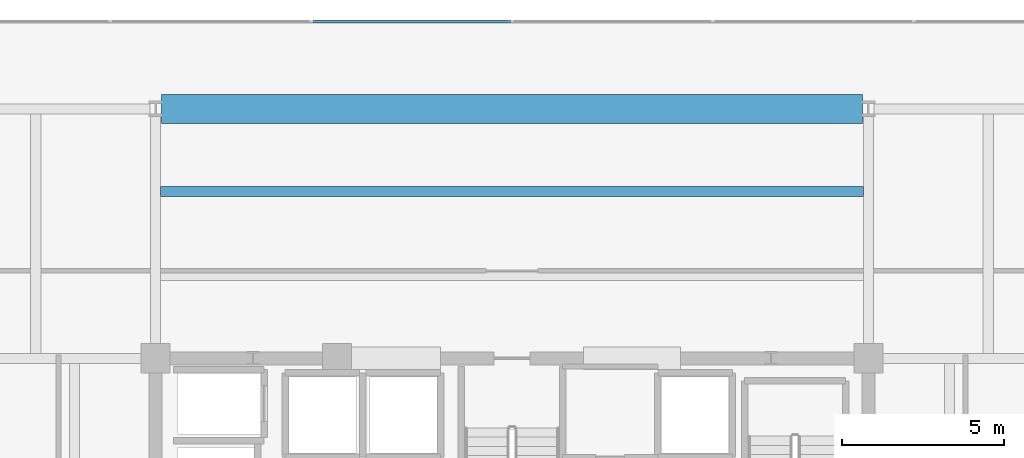
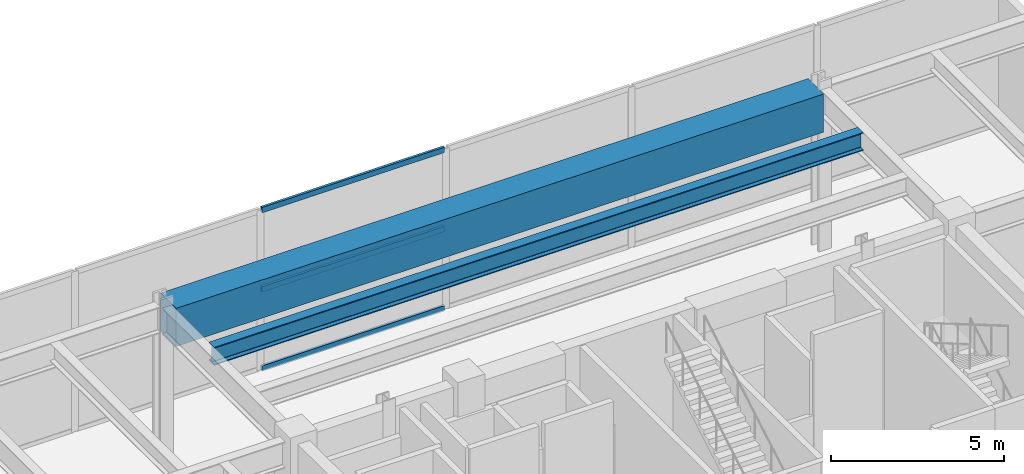
# One storey, part 14 of 21: 3 members, 2 beams, 1 element without a shape of its own.
"""IFC4 building model written with IfcOpenShell, lengths in metres."""

from ifc_helpers import new_model, si_unit, direction, frame, origin, origin_2d, place, context, subcontext, project, spatial, rectangle, hollow_rectangle, i_section, extrude, material, material_profile, profile_set, type_object, element, aggregate, save


model = new_model("IFC4")

# Units and contexts
model_context = context("Model", 3, precision=1e-05, world=origin(), true_north=direction((0.0, 1.0)))
body_context = subcontext(model_context, "Body", "Model", "MODEL_VIEW")
ifc_project = project(units=[si_unit("LENGTHUNIT", "METRE"), si_unit("AREAUNIT", "SQUARE_METRE"), si_unit("VOLUMEUNIT", "CUBIC_METRE"), si_unit("PLANEANGLEUNIT", "RADIAN"), si_unit("MASSUNIT", "GRAM", prefix="KILO")], contexts=[model_context])

# Site, building, storey
site_placement = place(None, origin())
site = spatial("IfcSite", under=ifc_project, at=site_placement, CompositionType="ELEMENT")
building_placement = place(site_placement, origin())
building = spatial("IfcBuilding", under=site, at=building_placement, Name="Kovane Verandah Tower", CompositionType="ELEMENT")
storey_placement = place(building_placement, frame((0.0, 0.0, 342.800048828125)))
storey = spatial("IfcBuildingStorey", under=building, at=storey_placement, Name="L80", CompositionType="ELEMENT", Elevation=342.800048828125)

# Beams
ifc_material_1 = material(Name="Concrete C80/95", Category="concrete")
ifc_material_profile_1 = material_profile(ifc_material_1, rectangle(XDim=0.89990234375, YDim=1.35009765625, at=origin_2d()), Name="RCB900x1350")
ifc_profile_set_1 = profile_set([ifc_material_profile_1], Name="Concrete C80/95")
beam_type_1 = type_object("IfcBeamType", Name="BM-TR-900x1350", PredefinedType="BEAM", material=ifc_profile_set_1)
beam_1_placement = place(storey_placement, frame((29.179931640625, 44.199951171875, 5.02490234375), z_axis=(1.0, 0.0, 0.0), x_axis=(0.0, 1.0, 0.0)))
element("IfcBeam", 1, at=beam_1_placement, inside=storey, type_object=beam_type_1, Name="L80 Primary Tower Girder G-RN2", PredefinedType="BEAM", context=body_context, shape_type="SweptSolid", body=[
    extrude(rectangle(XDim=0.89990234375, YDim=1.35009765625, at=origin_2d()), origin(), (0.0, 0.0, 1.0), 21.64013671875),
])
ifc_material_2 = material(Name="Steel S460", Category="steel")
ifc_material_profile_2 = material_profile(ifc_material_2, i_section(OverallWidth=0.311279296875, OverallDepth=0.6357421875, WebThickness=0.018310546875, FlangeThickness=0.031494140625, FilletRadius=0.0166015625, at=origin_2d()), Name="UB610x305x238")
ifc_profile_set_2 = profile_set([ifc_material_profile_2], Name="Steel S460")
beam_type_2 = type_object("IfcBeamType", Name="BM-UB610x238", PredefinedType="BEAM", material=ifc_profile_set_2)
beam_2_placement = place(storey_placement, frame((29.15185546875, 41.64990234375, 5.382080078125), z_axis=(1.0, 0.0, 0.0), x_axis=(0.0, 1.0, 0.0)))
element("IfcBeam", 2, at=beam_2_placement, inside=storey, type_object=beam_type_2, Name="L80 Secondary Composite Joist J-N2", PredefinedType="BEAM", context=body_context, shape_type="SweptSolid", body=[
    extrude(i_section(OverallWidth=0.311279296875, OverallDepth=0.6357421875, WebThickness=0.018310546875, FlangeThickness=0.031494140625, FilletRadius=0.0166015625, at=origin_2d()), origin(), (0.0, 0.0, 1.0), 21.6962890625),
])

# Curtain wall, members
ifc_material_3 = material(Name="Champagne Anodised Aluminium Frame with Low-E Clear Laminated Glass", Category="aluminium")
curtain_wall_type = type_object("IfcCurtainWallType", Name="CW-SYS-06-CROWN", PredefinedType="NOTDEFINED", material=ifc_material_3)
curtain_wall_placement = place(storey_placement, origin())
curtain_wall = element("IfcCurtainWall", 3, at=curtain_wall_placement, inside=storey, type_object=curtain_wall_type, Name="L80 N Unitised Curtain Wall", PredefinedType="NOTDEFINED")
ifc_material_4 = material(Name="Champagne Anodised Aluminium 6063-T6", Category="aluminium")
ifc_material_profile_3 = material_profile(ifc_material_4, hollow_rectangle(XDim=0.0849609375, YDim=0.18994140625, WallThickness=0.00390625, at=origin_2d()), Name="AL85x190x4")
ifc_profile_set_3 = profile_set([ifc_material_profile_3], Name="Champagne Anodised Aluminium 6063-T6")
member_type = type_object("IfcMemberType", Name="CW-TRN-85x190", PredefinedType="USERDEFINED", material=ifc_profile_set_3)
member_1_placement = place(storey_placement, frame((39.949951171875, 46.89990234375, 0.050048828125), z_axis=(-1.0, 0.0, 0.0), x_axis=(0.0, -1.0, 0.0)))
member_1 = element("IfcMember", 4, at=member_1_placement, type_object=member_type, Name="L80 N Unitised Curtain Wall Transom TB Bay 4", ObjectType="TRANSOM", PredefinedType="USERDEFINED", context=body_context, shape_type="SweptSolid", body=[
    extrude(hollow_rectangle(XDim=0.0849609375, YDim=0.18994140625, WallThickness=0.00390625, at=origin_2d()), origin(), (0.0, 0.0, 1.0), 6.099853515625),
])
member_2_placement = place(storey_placement, frame((39.949951171875, 46.89990234375, 2.849853515625), z_axis=(-1.0, 0.0, 0.0), x_axis=(0.0, -1.0, 0.0)))
member_2 = element("IfcMember", 5, at=member_2_placement, type_object=member_type, Name="L80 N Unitised Curtain Wall Transom TM Bay 4", ObjectType="TRANSOM", PredefinedType="USERDEFINED", context=body_context, shape_type="SweptSolid", body=[
    extrude(hollow_rectangle(XDim=0.0849609375, YDim=0.18994140625, WallThickness=0.00390625, at=origin_2d()), origin(), (0.0, 0.0, 1.0), 6.099853515625),
])
member_3_placement = place(storey_placement, frame((39.949951171875, 46.89990234375, 5.64990234375), z_axis=(-1.0, 0.0, 0.0), x_axis=(0.0, -1.0, 0.0)))
member_3 = element("IfcMember", 6, at=member_3_placement, type_object=member_type, Name="L80 N Unitised Curtain Wall Transom TT Bay 4", ObjectType="TRANSOM", PredefinedType="USERDEFINED", context=body_context, shape_type="SweptSolid", body=[
    extrude(hollow_rectangle(XDim=0.0849609375, YDim=0.18994140625, WallThickness=0.00390625, at=origin_2d()), origin(), (0.0, 0.0, 1.0), 6.099853515625),
])
aggregate(curtain_wall, [member_1, member_2, member_3])

save(model, "model.ifc")
